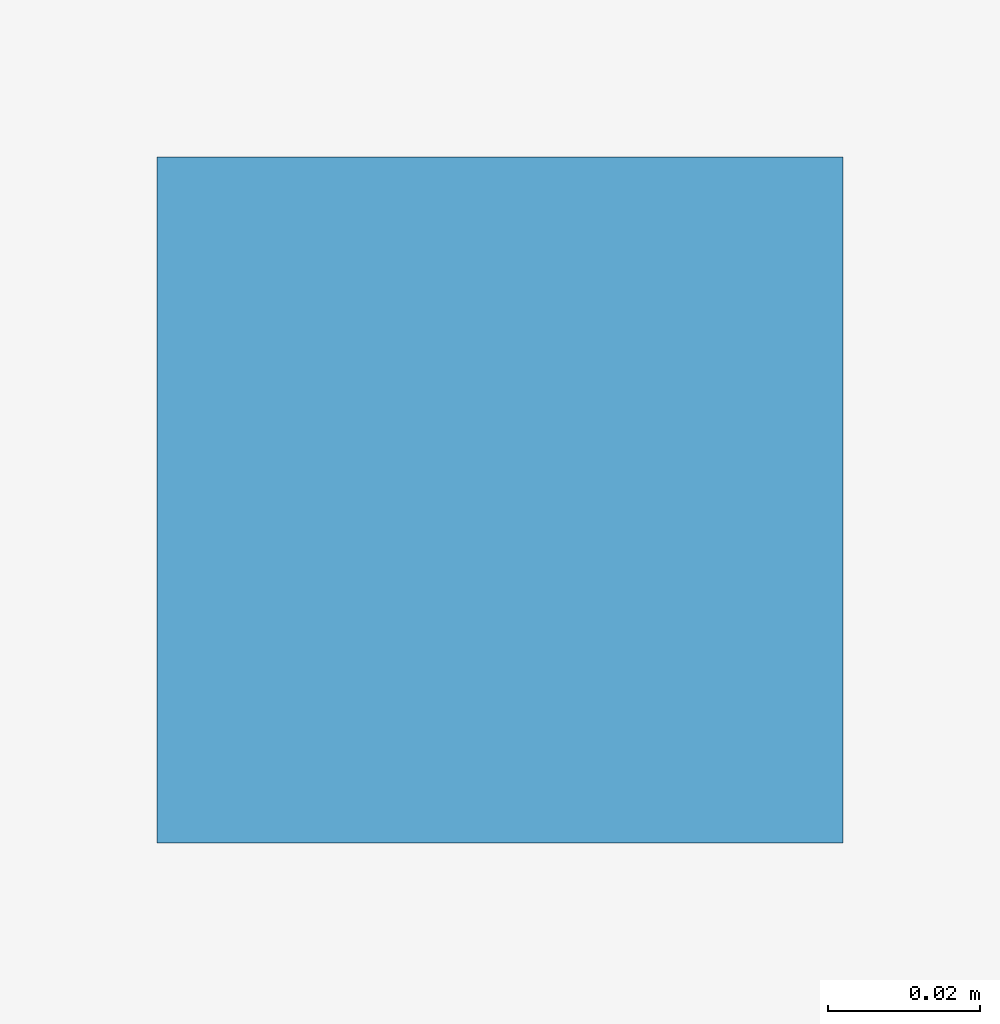
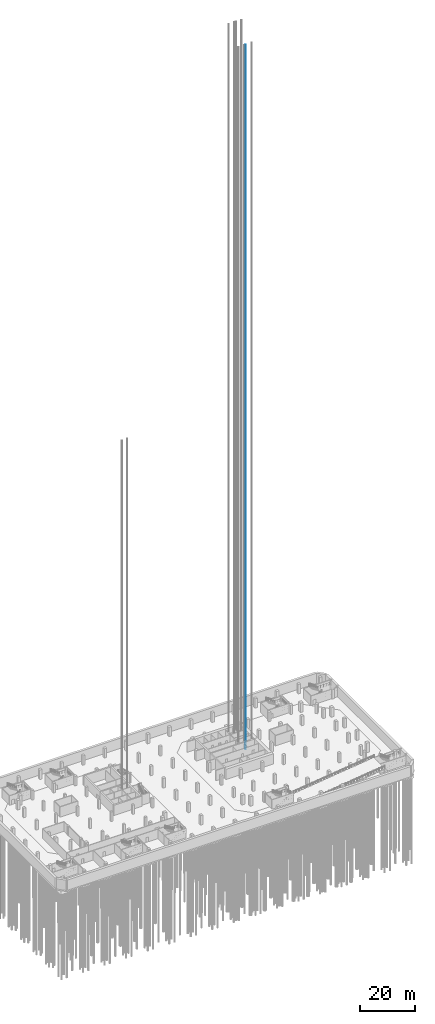
# One storey, part 10 of 30: 1 member.
"""IFC4 building model written with IfcOpenShell, lengths in metres."""

from ifc_helpers import new_model, si_unit, direction, frame, origin, origin_2d, place, context, subcontext, project, spatial, rectangle, extrude, material, material_profile, profile_set, type_object, element, save


model = new_model("IFC4")

# Units and contexts
model_context = context("Model", 3, precision=1e-05, world=origin(), true_north=direction((0.0, 1.0)))
body_context = subcontext(model_context, "Body", "Model", "MODEL_VIEW")
ifc_project = project(units=[si_unit("LENGTHUNIT", "METRE"), si_unit("AREAUNIT", "SQUARE_METRE"), si_unit("VOLUMEUNIT", "CUBIC_METRE"), si_unit("PLANEANGLEUNIT", "RADIAN"), si_unit("MASSUNIT", "GRAM", prefix="KILO")], contexts=[model_context])

# Site, building, storey
site_placement = place(None, origin())
site = spatial("IfcSite", under=ifc_project, at=site_placement, CompositionType="ELEMENT")
building_placement = place(site_placement, origin())
building = spatial("IfcBuilding", under=site, at=building_placement, Name="Cinnabar Reach Civic Tower", CompositionType="ELEMENT")
storey_placement = place(building_placement, frame((0.0, 0.0, -14.0)))
storey = spatial("IfcBuildingStorey", under=building, at=storey_placement, Name="B3", CompositionType="ELEMENT", Elevation=-14.0)

# Member
ifc_material = material(Name="Steel Q355B", Category="steel")
ifc_material_profile = material_profile(ifc_material, rectangle(XDim=0.09, YDim=0.09, at=origin_2d()), Name="T1 lift guide rail")
ifc_profile_set = profile_set([ifc_material_profile], Name="Steel Q355B")
member_type = type_object("IfcMemberType", Name="T1 lift guide rail", PredefinedType="USERDEFINED", material=ifc_profile_set)
member_placement = place(storey_placement, frame((19.72, 33.0, 0.0), z_axis=(0.0, 0.0, 1.0), x_axis=(1.0, 0.0, 0.0)))
element("IfcMember", 1, at=member_placement, inside=storey, type_object=member_type, Name="T1-SV2 guide rail 1", ObjectType="GUIDE RAIL", PredefinedType="USERDEFINED", context=body_context, shape_type="SweptSolid", body=[
    extrude(rectangle(XDim=0.09, YDim=0.09, at=origin_2d()), origin(), (0.0, 0.0, 1.0), 311.05),
])

save(model, "model.ifc")
